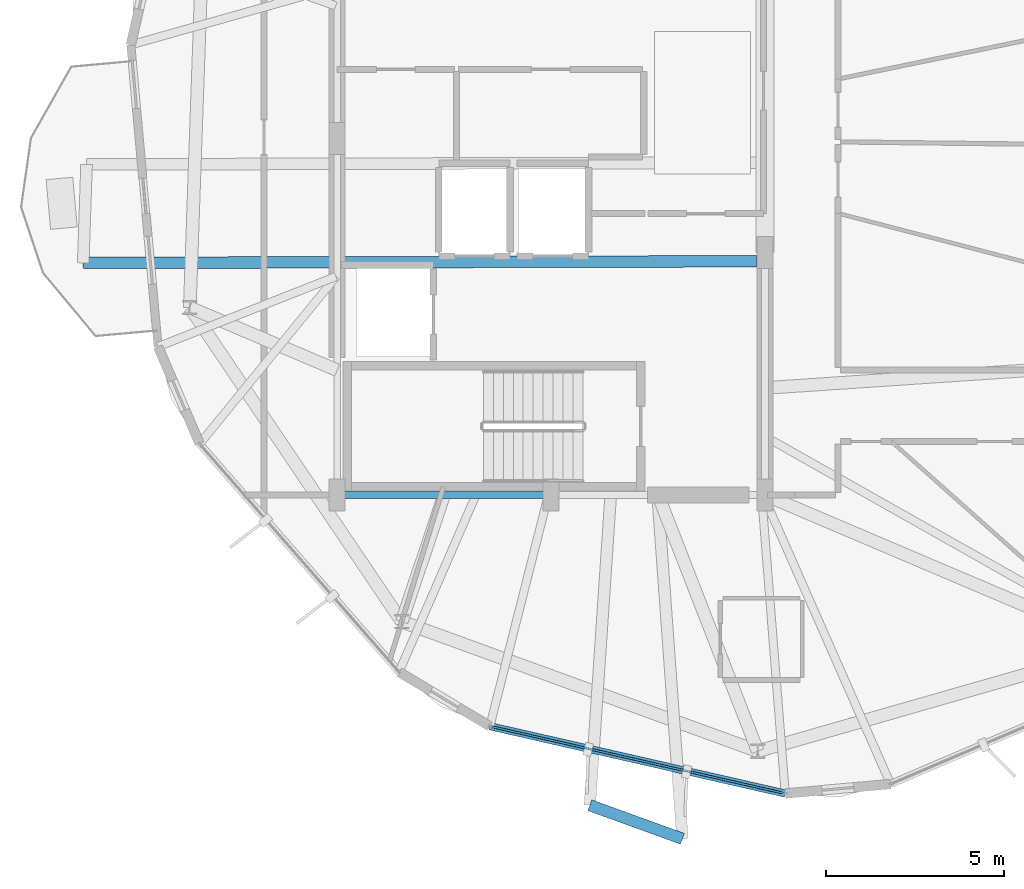
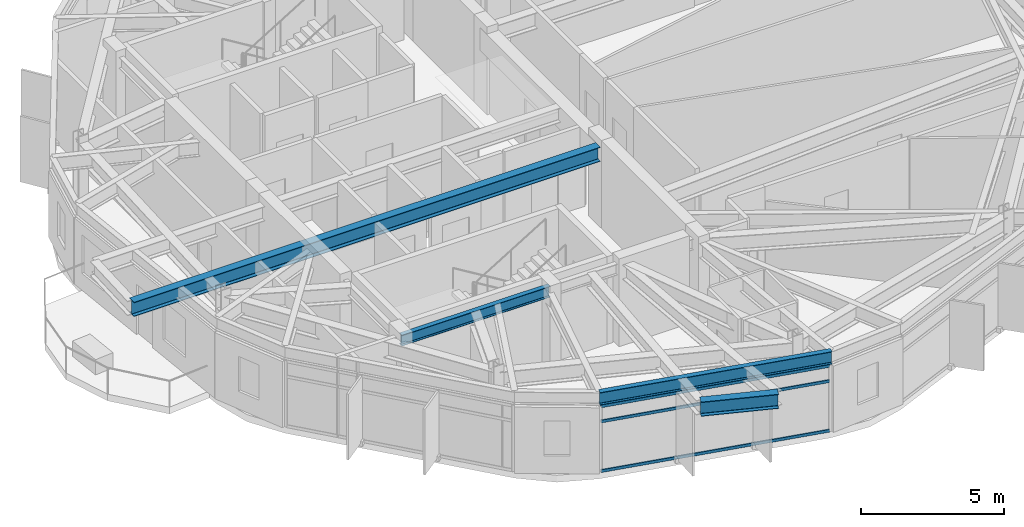
# One storey, part 4 of 23: 4 beams, 3 members, 1 element without a shape of its own.
"""IFC4 building model written with IfcOpenShell, lengths in metres."""

import ifcopenshell
import ifcopenshell.guid

model = None  # the IFC model being written
_history = None  # IfcOwnerHistory: only IFC2X3 demands one
_inside = {}  # id of a spatial element -> (the spatial element, [elements in it])
_under = {}  # id of a project, library or spatial element -> (it, [spatial elements below it])
_declared = {}  # id of a project -> (the project, [libraries it declares])
_typed = {}  # id of a type object -> (the type object, [elements of that type])
_made_of = {}  # id of a material, layer set ... -> (it, [elements and type objects made of it])


def new_model(schema):
    """Start an empty IFC model of exactly this schema.

    Asked for "IFC4X3", IfcOpenShell would pick the latest addendum, in which some entities
    have other attributes; the version numbers below select the first issue.
    IFC2X3 requires an IfcOwnerHistory on every rooted entity: one is made here for all.
    """
    global model, _history
    if schema == "IFC4X3":
        model = ifcopenshell.file(schema_version=(4, 3, 0, 0))
    else:
        model = ifcopenshell.file(schema=schema)
    _inside.clear()
    _under.clear()
    _declared.clear()
    _typed.clear()
    _made_of.clear()
    _history = None
    if model.schema == "IFC2X3":
        org = make("IfcOrganization", Name="unknown")
        user = make(
            "IfcPersonAndOrganization",
            ThePerson=make("IfcPerson", FamilyName="unknown"),
            TheOrganization=org,
        )
        app = make(
            "IfcApplication",
            ApplicationDeveloper=org,
            Version="unknown",
            ApplicationFullName="unknown",
            ApplicationIdentifier="unknown",
        )
        _history = make(
            "IfcOwnerHistory",
            OwningUser=user,
            OwningApplication=app,
            ChangeAction="ADDED",
            CreationDate=0,
        )
    return model


def make(cls, **values):
    """One entity of the class cls with the attributes given. An attribute that is None is left unset."""
    return model.create_entity(
        cls, **{name: value for name, value in values.items() if value is not None}
    )


def rooted(cls, **values):
    """An entity with a GlobalId (a new one), such as an element, a storey or a relation."""
    return make(cls, GlobalId=ifcopenshell.guid.new(), OwnerHistory=_history, **values)


def si_unit(unit_type, name, prefix=None):
    """IfcSIUnit, for example si_unit("LENGTHUNIT", "METRE", prefix="MILLI")."""
    return make("IfcSIUnit", UnitType=unit_type, Prefix=prefix, Name=name)


def assignment(units):
    """IfcUnitAssignment: the units of a project."""
    return None if units is None else make("IfcUnitAssignment", Units=units)


def point(xyz):
    """IfcCartesianPoint."""
    return None if xyz is None else make("IfcCartesianPoint", Coordinates=xyz)


def direction(xyz):
    """IfcDirection."""
    return None if xyz is None else make("IfcDirection", DirectionRatios=xyz)


def frame(location, z_axis=None, x_axis=None):
    """IfcAxis2Placement3D, a coordinate frame: its origin and axes. An axis left out is left unset."""
    return make(
        "IfcAxis2Placement3D",
        Location=point(location),
        Axis=direction(z_axis),
        RefDirection=direction(x_axis),
    )


def frame_2d(location, x_axis=None):
    """IfcAxis2Placement2D, a coordinate frame in the plane: its origin and x axis."""
    return make(
        "IfcAxis2Placement2D", Location=point(location), RefDirection=direction(x_axis)
    )


def origin():
    """The frame at (0, 0, 0) with its axes left unset."""
    return frame((0.0, 0.0, 0.0))


def origin_2d():
    """The frame at (0, 0) in the plane with its x axis left unset."""
    return frame_2d((0.0, 0.0))


def place(relative_to, where):
    """IfcLocalPlacement: puts the frame where relative to a parent placement (None: the world)."""
    return make(
        "IfcLocalPlacement", PlacementRelTo=relative_to, RelativePlacement=where
    )


def context(
    kind, dimensions, precision=None, world=None, true_north=None, identifier=None
):
    """IfcGeometricRepresentationContext, for example the 3D "Model" context."""
    return make(
        "IfcGeometricRepresentationContext",
        ContextIdentifier=identifier,
        ContextType=kind,
        CoordinateSpaceDimension=dimensions,
        Precision=precision,
        WorldCoordinateSystem=world,
        TrueNorth=true_north,
    )


def subcontext(parent, identifier, kind, view, scale=None):
    """IfcGeometricRepresentationSubContext, for example "Body" below "Model"."""
    return make(
        "IfcGeometricRepresentationSubContext",
        ContextIdentifier=identifier,
        ContextType=kind,
        ParentContext=parent,
        TargetScale=scale,
        TargetView=view,
    )


def project(units=None, contexts=None):
    """IfcProject with its units and contexts."""
    return rooted(
        "IfcProject",
        Name="project",
        RepresentationContexts=contexts,
        UnitsInContext=assignment(units),
    )


def spatial(cls, under=None, at=None, **own):
    """A site, building, storey or space (cls), placed at a placement, below another one or the project."""
    s = rooted(cls, ObjectPlacement=at, **own)
    if under is not None:
        _under.setdefault(under.id(), (under, []))[1].append(s)
    return s


def profile(cls, at=None, kind="AREA", **sizes):
    """A parametric profile (cls). Its sizes go by their IFC names, for example OverallWidth=200.0."""
    return make(cls, ProfileType=kind, Position=at, **sizes)


def hollow_rectangle(**sizes):
    """IfcRectangleHollowProfileDef."""
    return profile("IfcRectangleHollowProfileDef", **sizes)


def i_section(**sizes):
    """IfcIShapeProfileDef."""
    return profile("IfcIShapeProfileDef", **sizes)


def extrude(swept, where, along, depth):
    """IfcExtrudedAreaSolid: the profile swept, set in the frame where, extruded along a direction by depth."""
    return make(
        "IfcExtrudedAreaSolid",
        SweptArea=swept,
        Position=where,
        ExtrudedDirection=direction(along),
        Depth=depth,
    )


def shape(context_of_items, identifier, shape_type, items):
    """IfcShapeRepresentation: the items that make up one representation, for example the "Body"."""
    return make(
        "IfcShapeRepresentation",
        ContextOfItems=context_of_items,
        RepresentationIdentifier=identifier,
        RepresentationType=shape_type,
        Items=items,
    )


def material(Name=None, Category=None):
    """IfcMaterial."""
    return make("IfcMaterial", Name=Name, Category=Category)


def layer(
    of_material, thickness, ventilated=None, Name=None, Category=None, Priority=None
):
    """IfcMaterialLayer: one layer of a wall or slab, of a material (None: an air gap)."""
    return make(
        "IfcMaterialLayer",
        Material=of_material,
        LayerThickness=thickness,
        IsVentilated=ventilated,
        Name=Name,
        Category=Category,
        Priority=Priority,
    )


def layer_set(layers, Name=None):
    """IfcMaterialLayerSet."""
    return make("IfcMaterialLayerSet", MaterialLayers=layers, LayerSetName=Name)


def material_profile(
    of_material, cross_section, Name=None, Category=None, Priority=None
):
    """IfcMaterialProfile: a cross section and its material."""
    return make(
        "IfcMaterialProfile",
        Name=Name,
        Material=of_material,
        Profile=cross_section,
        Priority=Priority,
        Category=Category,
    )


def profile_set(profiles, Name=None, composite=None):
    """IfcMaterialProfileSet."""
    return make(
        "IfcMaterialProfileSet",
        Name=Name,
        MaterialProfiles=profiles,
        CompositeProfile=composite,
    )


def made_of(thing, what):
    """Note that an element or type object is made of a material, layer set ...; save() writes the relation."""
    if what is not None:
        _made_of.setdefault(what.id(), (what, []))[1].append(thing)
    return thing


def type_object(cls, material=None, **own):
    """A type object (cls), such as IfcWallType, which elements share."""
    return made_of(rooted(cls, **own), material)


def element(
    cls,
    number,
    at=None,
    inside=None,
    cuts=None,
    type_object=None,
    material=None,
    context=None,
    identifier="Body",
    shape_type=None,
    held_by="IfcProductDefinitionShape",
    body=None,
    shapes=None,
    **own,
):
    """One element of the class cls, such as IfcWall. Its Tag is "e" and its number.

    at: its placement. inside: the storey or other place that contains it. cuts: it is an
    opening in that element (IfcRelVoidsElement). A single representation is given by context,
    identifier, shape_type and body (its items); several are given by shapes. held_by: the class
    of the entity that holds the representations. save() writes the other relations.
    """
    e = rooted(cls, Tag="e%d" % number, ObjectPlacement=at, **own)
    if body is not None:
        shapes = [shape(context, identifier, shape_type, body)]
    if shapes is not None:
        e.Representation = make(held_by, Representations=shapes)
    if inside is not None:
        _inside.setdefault(inside.id(), (inside, []))[1].append(e)
    if cuts is not None:
        rooted(
            "IfcRelVoidsElement", RelatingBuildingElement=cuts, RelatedOpeningElement=e
        )
    if type_object is not None:
        _typed.setdefault(type_object.id(), (type_object, []))[1].append(e)
    return made_of(e, material)


def aggregate(whole, parts):
    """IfcRelAggregates: a whole, such as a stair, and the parts it consists of."""
    return rooted("IfcRelAggregates", RelatingObject=whole, RelatedObjects=parts)


def save(model, path):
    """Write the relations noted so far, then the file.

    IfcRelAggregates (storeys below a building ...), IfcRelContainedInSpatialStructure (elements
    in a storey), IfcRelDefinesByType, IfcRelAssociatesMaterial and IfcRelDeclares: one each for
    every whole, place, type object, material and project.
    """
    for whole, parts in _under.values():
        aggregate(whole, parts)
    for where, things in _inside.values():
        rooted(
            "IfcRelContainedInSpatialStructure",
            RelatedElements=things,
            RelatingStructure=where,
        )
    for kind, things in _typed.values():
        rooted("IfcRelDefinesByType", RelatedObjects=things, RelatingType=kind)
    for what, things in _made_of.values():
        rooted("IfcRelAssociatesMaterial", RelatedObjects=things, RelatingMaterial=what)
    for by, libraries in _declared.values():
        rooted("IfcRelDeclares", RelatingContext=by, RelatedDefinitions=libraries)
    model.write(path)


model = new_model("IFC4")

# Units and contexts
model_context = context("Model", 3, precision=1e-05, world=origin(), true_north=direction((0.0, 1.0)))
body_context = subcontext(model_context, "Body", "Model", "MODEL_VIEW")
ifc_project = project(units=[si_unit("LENGTHUNIT", "METRE"), si_unit("AREAUNIT", "SQUARE_METRE"), si_unit("VOLUMEUNIT", "CUBIC_METRE"), si_unit("PLANEANGLEUNIT", "RADIAN"), si_unit("MASSUNIT", "GRAM", prefix="KILO")], contexts=[model_context])

# Site, building, storey
site_placement = place(None, origin())
site = spatial("IfcSite", under=ifc_project, at=site_placement, CompositionType="ELEMENT")
building_placement = place(site_placement, origin())
building = spatial("IfcBuilding", under=site, at=building_placement, Name="Soratama Intermodal Tower", CompositionType="ELEMENT")
storey_placement = place(building_placement, frame((0.0, 0.0, 250.0)))
storey = spatial("IfcBuildingStorey", under=building, at=storey_placement, Name="L63", CompositionType="ELEMENT", Elevation=250.0)

# Beams
ifc_material_1 = material(Name="Structural steel ASTM A992 Grade 50", Category="steel")
ifc_material_profile_1 = material_profile(ifc_material_1, i_section(OverallWidth=0.324951171875, OverallDepth=0.615966796875, WebThickness=0.013916015625, FlangeThickness=0.021484375, FilletRadius=0.013916015625, at=origin_2d()), Name="W24X117")
ifc_profile_set_1 = profile_set([ifc_material_profile_1], Name="Structural steel ASTM A992 Grade 50")
beam_type_1 = type_object("IfcBeamType", Name="BM-CANT-W24X117", PredefinedType="BEAM", material=ifc_profile_set_1)
beam_1_placement = place(storey_placement, frame((39.68798828125, 6.2958984375, 3.14208984375), z_axis=(0.940231221255, -0.340536709587, 0.0), x_axis=(0.340536709587, 0.940231221255, 0.0)))
element("IfcBeam", 1, at=beam_1_placement, inside=storey, type_object=beam_type_1, Name="BM-L63-CBHDR-3", PredefinedType="BEAM", context=body_context, shape_type="SweptSolid", body=[
    extrude(i_section(OverallWidth=0.324951171875, OverallDepth=0.615966796875, WebThickness=0.013916015625, FlangeThickness=0.021484375, FilletRadius=0.013916015625, at=origin_2d()), origin(), (0.0, 0.0, 1.0), 2.762939453125),
])
beam_2_placement = place(storey_placement, frame((44.364990234375, 21.554931640625, 3.14208984375), z_axis=(-0.99999717177, -0.002378329731, 0.0), x_axis=(0.002378329731, -0.99999717177, 0.0)))
element("IfcBeam", 2, at=beam_2_placement, inside=storey, type_object=beam_type_1, Name="BM-L63-CANT-2-2", PredefinedType="BEAM", context=body_context, shape_type="SweptSolid", body=[
    extrude(i_section(OverallWidth=0.324951171875, OverallDepth=0.615966796875, WebThickness=0.013916015625, FlangeThickness=0.021484375, FilletRadius=0.013916015625, at=origin_2d()), origin(), (0.0, 0.0, 1.0), 18.887939453125),
])
ifc_material_2 = material(Name="Structural steel ASTM A992 Grade 50", Category="steel")
ifc_material_profile_2 = material_profile(ifc_material_2, i_section(OverallWidth=0.19091796875, OverallDepth=0.4599609375, WebThickness=0.010009765625, FlangeThickness=0.01611328125, FilletRadius=0.010986328125, at=origin_2d()), Name="W18X55")
ifc_profile_set_2 = profile_set([ifc_material_profile_2], Name="Structural steel ASTM A992 Grade 50")
beam_type_2 = type_object("IfcBeamType", Name="BM-FLR-W18X55", PredefinedType="BEAM", material=ifc_profile_set_2)
beam_3_placement = place(storey_placement, frame((32.60009765625, 15.0, 3.219970703125), z_axis=(1.0, 0.0, 0.0), x_axis=(0.0, 1.0, 0.0)))
element("IfcBeam", 3, at=beam_3_placement, inside=storey, type_object=beam_type_2, Name="BM-L63-CRING-01", PredefinedType="BEAM", context=body_context, shape_type="SweptSolid", body=[
    extrude(i_section(OverallWidth=0.19091796875, OverallDepth=0.4599609375, WebThickness=0.010009765625, FlangeThickness=0.01611328125, FilletRadius=0.010986328125, at=origin_2d()), origin(), (0.0, 0.0, 1.0), 6.0),
])
ifc_material_3 = material(Name="Structural steel ASTM A992 Grade 50", Category="steel")
ifc_material_profile_3 = material_profile(ifc_material_3, i_section(OverallWidth=0.2099609375, OverallDepth=0.537109375, WebThickness=0.010986328125, FlangeThickness=0.017333984375, FilletRadius=0.012939453125, at=origin_2d()), Name="W21X68")
ifc_profile_set_3 = profile_set([ifc_material_profile_3], Name="Structural steel ASTM A992 Grade 50")
beam_type_3 = type_object("IfcBeamType", Name="BM-SPN-W21X68", PredefinedType="SPANDREL", material=ifc_profile_set_3)
beam_4_placement = place(storey_placement, frame((36.883056640625, 8.511962890625, 3.181396484375), z_axis=(0.97499185871, -0.222240580115, 0.0), x_axis=(0.222240580115, 0.97499185871, 0.0)))
element("IfcBeam", 4, at=beam_4_placement, inside=storey, type_object=beam_type_3, Name="BS-L63-F06", PredefinedType="SPANDREL", context=body_context, shape_type="SweptSolid", body=[
    extrude(i_section(OverallWidth=0.2099609375, OverallDepth=0.537109375, WebThickness=0.010986328125, FlangeThickness=0.017333984375, FilletRadius=0.012939453125, at=origin_2d()), origin(), (0.0, 0.0, 1.0), 8.49951171875),
])

# Curtain wall, members
ifc_material_4 = material(Name="Double-glazed aluminium curtain wall", Category="aluminium")
ifc_layer = layer(ifc_material_4, 0.159912109375)
ifc_layer_set = layer_set([ifc_layer], Name="Double-glazed aluminium curtain wall")
curtain_wall_type = type_object("IfcCurtainWallType", Name="CW-SYS-5", PredefinedType="NOTDEFINED", material=ifc_layer_set)
curtain_wall_placement = place(storey_placement, origin())
curtain_wall = element("IfcCurtainWall", 5, at=curtain_wall_placement, inside=storey, type_object=curtain_wall_type, Name="L63 Faceted Curtain Wall F06", PredefinedType="NOTDEFINED")
ifc_material_5 = material(Name="Anodised aluminium AA 6063-T6", Category="aluminium")
ifc_material_profile_4 = material_profile(ifc_material_5, hollow_rectangle(XDim=0.06005859375, YDim=0.1298828125, WallThickness=0.0048828125, InnerFilletRadius=0.0048828125, OuterFilletRadius=0.010009765625, at=origin_2d()), Name="CWT130X60X5")
ifc_profile_set_4 = profile_set([ifc_material_profile_4], Name="Anodised aluminium AA 6063-T6")
member_type = type_object("IfcMemberType", Name="TT-CWT-2", PredefinedType="USERDEFINED", material=ifc_profile_set_4)
member_1_placement = place(storey_placement, frame((36.94140625, 8.498291015625, 0.030029296875), z_axis=(0.974999889035, -0.222205347328, 0.0), x_axis=(0.222205347328, 0.974999889035, 0.0)))
member_1 = element("IfcMember", 6, at=member_1_placement, type_object=member_type, Name="CW-5 transom 1.1", ObjectType="TRANSOM", PredefinedType="USERDEFINED", context=body_context, shape_type="SweptSolid", body=[
    extrude(hollow_rectangle(XDim=0.06005859375, YDim=0.1298828125, WallThickness=0.0048828125, InnerFilletRadius=0.0048828125, OuterFilletRadius=0.010009765625, at=origin_2d()), origin(), (0.0, 0.0, 1.0), 8.3798828125),
])
member_2_placement = place(storey_placement, frame((36.94140625, 8.498291015625, 2.14990234375), z_axis=(0.974999889035, -0.222205347328, 0.0), x_axis=(0.222205347328, 0.974999889035, 0.0)))
member_2 = element("IfcMember", 7, at=member_2_placement, type_object=member_type, Name="CW-5 transom 1.2", ObjectType="TRANSOM", PredefinedType="USERDEFINED", context=body_context, shape_type="SweptSolid", body=[
    extrude(hollow_rectangle(XDim=0.06005859375, YDim=0.1298828125, WallThickness=0.0048828125, InnerFilletRadius=0.0048828125, OuterFilletRadius=0.010009765625, at=origin_2d()), origin(), (0.0, 0.0, 1.0), 8.3798828125),
])
member_3_placement = place(storey_placement, frame((36.94140625, 8.498291015625, 2.799072265625), z_axis=(0.974999889035, -0.222205347328, 0.0), x_axis=(0.222205347328, 0.974999889035, 0.0)))
member_3 = element("IfcMember", 8, at=member_3_placement, type_object=member_type, Name="CW-5 transom 1.3", ObjectType="TRANSOM", PredefinedType="USERDEFINED", context=body_context, shape_type="SweptSolid", body=[
    extrude(hollow_rectangle(XDim=0.06005859375, YDim=0.1298828125, WallThickness=0.0048828125, InnerFilletRadius=0.0048828125, OuterFilletRadius=0.010009765625, at=origin_2d()), origin(), (0.0, 0.0, 1.0), 8.3798828125),
])
aggregate(curtain_wall, [member_1, member_2, member_3])

save(model, "model.ifc")
